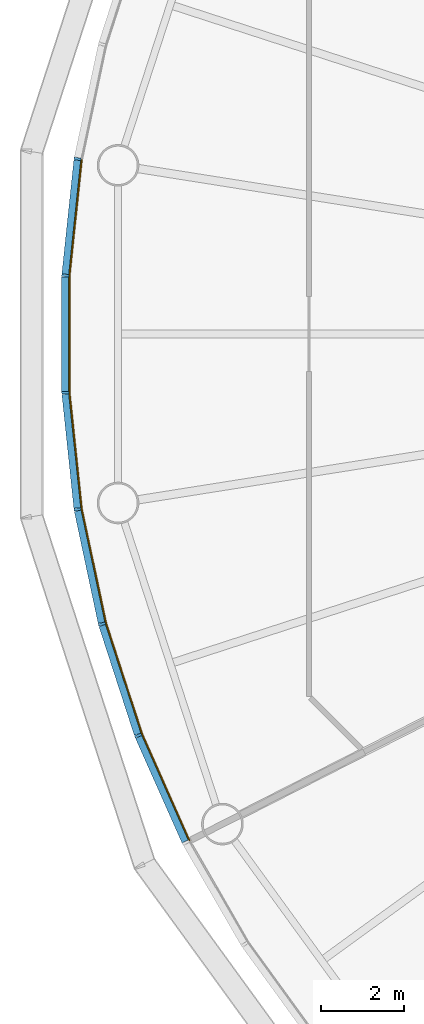
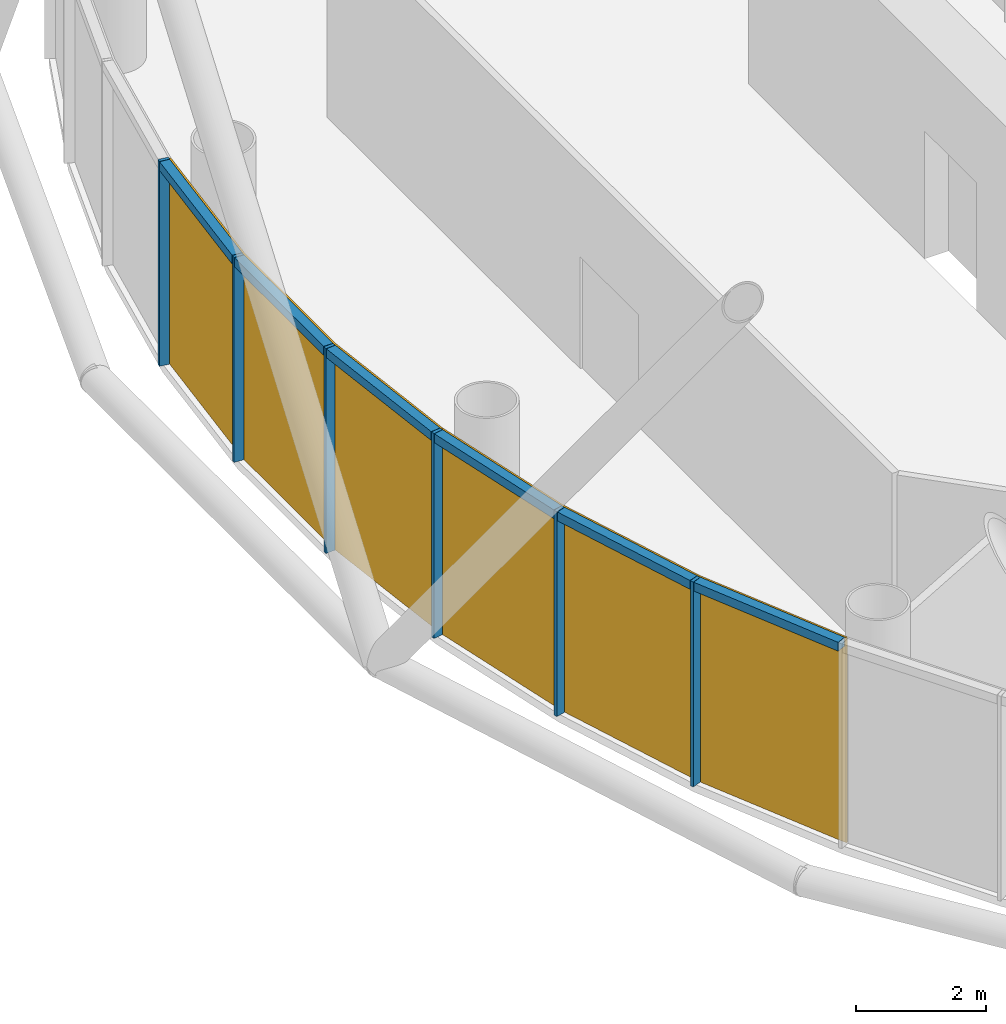
# One storey, part 8 of 13: 12 members, 2 curtain walls.
"""IFC4 building model written with IfcOpenShell, lengths in metres."""

from ifc_helpers import new_model, si_unit, direction, frame, origin, origin_2d, place, context, subcontext, project, spatial, polyline, rectangle, outline, extrude, material, layer, layer_set, material_profile, profile_set, type_object, element, aggregate, save


model = new_model("IFC4")

# Units and contexts
model_context = context("Model", 3, precision=1e-05, world=origin(), true_north=direction((0.0, 1.0)))
body_context = subcontext(model_context, "Body", "Model", "MODEL_VIEW")
ifc_project = project(units=[si_unit("LENGTHUNIT", "METRE"), si_unit("AREAUNIT", "SQUARE_METRE"), si_unit("VOLUMEUNIT", "CUBIC_METRE"), si_unit("PLANEANGLEUNIT", "RADIAN"), si_unit("MASSUNIT", "GRAM", prefix="KILO")], contexts=[model_context])

# Member
ifc_material_1 = material(Name="Anodised aluminium", Category="aluminium")
ifc_material_profile_1 = material_profile(ifc_material_1, rectangle(XDim=0.06005859375, YDim=0.169921875, at=origin_2d()), Name="Mullion 60 x 170 mm anodised aluminium")
ifc_profile_set_1 = profile_set([ifc_material_profile_1], Name="Anodised aluminium")
member_type_1 = type_object("IfcMemberType", Name="Mullion 60 x 170 mm anodised aluminium", PredefinedType="MULLION", material=ifc_profile_set_1)
site_placement = place(None, origin())
building_placement = place(site_placement, origin())
storey_placement = place(building_placement, frame((0.0, 0.0, 250.0)))
member_1_placement = place(storey_placement, frame((63.446044921875, 84.205810546875, 0.0), z_axis=(0.0, 0.0, 1.0), x_axis=(-0.15643446504, -0.987688340595, 0.0)))
member_1 = element("IfcMember", 1, at=member_1_placement, type_object=member_type_1, Name="MULLION L57-27", PredefinedType="MULLION", context=body_context, shape_type="SweptSolid", body=[
    extrude(rectangle(XDim=0.06005859375, YDim=0.169921875, at=origin_2d()), origin(), (0.0, 0.0, 1.0), 3.85009765625),
])

member_2_placement = place(storey_placement, frame((63.15185546875, 81.406982421875, 0.0), z_axis=(0.0, 0.0, 1.0), x_axis=(-0.052335956243, -0.998629534755, 0.0)))
member_2 = element("IfcMember", 2, at=member_2_placement, type_object=member_type_1, Name="MULLION L57-28", PredefinedType="MULLION", context=body_context, shape_type="SweptSolid", body=[
    extrude(rectangle(XDim=0.06005859375, YDim=0.169921875, at=origin_2d()), origin(), (0.0, 0.0, 1.0), 3.85009765625),
])

member_3_placement = place(storey_placement, frame((63.15185546875, 78.593017578125, 0.0), z_axis=(0.0, 0.0, 1.0), x_axis=(0.052335956243, -0.998629534755, 0.0)))
member_3 = element("IfcMember", 3, at=member_3_placement, type_object=member_type_1, Name="MULLION L57-29", PredefinedType="MULLION", context=body_context, shape_type="SweptSolid", body=[
    extrude(rectangle(XDim=0.06005859375, YDim=0.169921875, at=origin_2d()), origin(), (0.0, 0.0, 1.0), 3.85009765625),
])

member_4_placement = place(storey_placement, frame((63.446044921875, 75.794189453125, 0.0), z_axis=(0.0, 0.0, 1.0), x_axis=(0.15643446504, -0.987688340595, 0.0)))
member_4 = element("IfcMember", 4, at=member_4_placement, type_object=member_type_1, Name="MULLION L57-30", PredefinedType="MULLION", context=body_context, shape_type="SweptSolid", body=[
    extrude(rectangle(XDim=0.06005859375, YDim=0.169921875, at=origin_2d()), origin(), (0.0, 0.0, 1.0), 3.85009765625),
])

member_5_placement = place(storey_placement, frame((64.031005859375, 73.041748046875, 0.0), z_axis=(0.0, 0.0, 1.0), x_axis=(0.258819045103, -0.965925826289, 0.0)))
member_5 = element("IfcMember", 5, at=member_5_placement, type_object=member_type_1, Name="MULLION L57-31", PredefinedType="MULLION", context=body_context, shape_type="SweptSolid", body=[
    extrude(rectangle(XDim=0.06005859375, YDim=0.169921875, at=origin_2d()), origin(), (0.0, 0.0, 1.0), 3.85009765625),
])

member_6_placement = place(storey_placement, frame((64.900634765625, 70.365234375, 0.0), z_axis=(0.0, 0.0, 1.0), x_axis=(0.358367949545, -0.933580426497, 0.0)))
member_6 = element("IfcMember", 6, at=member_6_placement, type_object=member_type_1, Name="MULLION L57-32", PredefinedType="MULLION", context=body_context, shape_type="SweptSolid", body=[
    extrude(rectangle(XDim=0.06005859375, YDim=0.169921875, at=origin_2d()), origin(), (0.0, 0.0, 1.0), 3.85009765625),
])

ifc_material_2 = material(Name="Anodised aluminium", Category="aluminium")
ifc_material_profile_2 = material_profile(ifc_material_2, rectangle(XDim=0.169921875, YDim=0.1650390625, at=origin_2d()), Name="Transom 165 x 170 mm anodised aluminium")
ifc_profile_set_2 = profile_set([ifc_material_profile_2], Name="Anodised aluminium")
member_type_2 = type_object("IfcMemberType", Name="Transom 165 x 170 mm anodised aluminium", PredefinedType="USERDEFINED", material=ifc_profile_set_2)
member_7_placement = place(storey_placement, frame((63.4423828125, 84.17138671875, 3.767578125), z_axis=(-0.104592190102, -0.994515195344, 0.0), x_axis=(0.994515195344, -0.104592190102, 0.0)))
member_7 = element("IfcMember", 7, at=member_7_placement, type_object=member_type_2, Name="TRANSOM L57-27", ObjectType="TRANSOM", PredefinedType="USERDEFINED", context=body_context, shape_type="SweptSolid", body=[
    extrude(rectangle(XDim=0.169921875, YDim=0.1650390625, at=origin_2d()), origin(), (0.0, 0.0, 1.0), 2.7451171875),
])

member_8_placement = place(storey_placement, frame((63.151611328125, 81.37255859375, 3.767578125), z_axis=(0.0, -1.0, 0.0), x_axis=(1.0, 0.0, 0.0)))
member_8 = element("IfcMember", 8, at=member_8_placement, type_object=member_type_2, Name="TRANSOM L57-28", ObjectType="TRANSOM", PredefinedType="USERDEFINED", context=body_context, shape_type="SweptSolid", body=[
    extrude(rectangle(XDim=0.169921875, YDim=0.1650390625, at=origin_2d()), origin(), (0.0, 0.0, 1.0), 2.7451171875),
])

member_9_placement = place(storey_placement, frame((63.1552734375, 78.55859375, 3.767578125), z_axis=(0.104592190102, -0.994515195344, 0.0), x_axis=(0.994515195344, 0.104592190102, 0.0)))
member_9 = element("IfcMember", 9, at=member_9_placement, type_object=member_type_2, Name="TRANSOM L57-29", ObjectType="TRANSOM", PredefinedType="USERDEFINED", context=body_context, shape_type="SweptSolid", body=[
    extrude(rectangle(XDim=0.169921875, YDim=0.1650390625, at=origin_2d()), origin(), (0.0, 0.0, 1.0), 2.7451171875),
])

member_10_placement = place(storey_placement, frame((63.453125, 75.760498046875, 3.767578125), z_axis=(0.207937468562, -0.97814212115, 0.0), x_axis=(0.97814212115, 0.207937468562, 0.0)))
member_10 = element("IfcMember", 10, at=member_10_placement, type_object=member_type_2, Name="TRANSOM L57-30", ObjectType="TRANSOM", PredefinedType="USERDEFINED", context=body_context, shape_type="SweptSolid", body=[
    extrude(rectangle(XDim=0.169921875, YDim=0.1650390625, at=origin_2d()), origin(), (0.0, 0.0, 1.0), 2.7451171875),
])

member_11_placement = place(storey_placement, frame((64.04150390625, 73.0087890625, 3.767578125), z_axis=(0.309041831781, -0.951048445774, 0.0), x_axis=(0.951048445774, 0.309041831781, 0.0)))
member_11 = element("IfcMember", 11, at=member_11_placement, type_object=member_type_2, Name="TRANSOM L57-31", ObjectType="TRANSOM", PredefinedType="USERDEFINED", context=body_context, shape_type="SweptSolid", body=[
    extrude(rectangle(XDim=0.169921875, YDim=0.1650390625, at=origin_2d()), origin(), (0.0, 0.0, 1.0), 2.7451171875),
])

member_12_placement = place(storey_placement, frame((64.91455078125, 70.333740234375, 3.767578125), z_axis=(0.406781987391, -0.913525267704, 0.0), x_axis=(0.913525267704, 0.406781987391, 0.0)))
member_12 = element("IfcMember", 12, at=member_12_placement, type_object=member_type_2, Name="TRANSOM L57-32", ObjectType="TRANSOM", PredefinedType="USERDEFINED", context=body_context, shape_type="SweptSolid", body=[
    extrude(rectangle(XDim=0.169921875, YDim=0.1650390625, at=origin_2d()), origin(), (0.0, 0.0, 1.0), 2.7451171875),
])

# Site, building, storey
site = spatial("IfcSite", under=ifc_project, at=site_placement, CompositionType="ELEMENT")
building = spatial("IfcBuilding", under=site, at=building_placement, Name="Entoto Ring Tower", CompositionType="ELEMENT")
storey = spatial("IfcBuildingStorey", under=building, at=storey_placement, Name="L57", CompositionType="ELEMENT", Elevation=250.0)

# Curtain wall
ifc_material_3 = material(Name="Clear low-iron glass", Category="glass")
ifc_layer = layer(ifc_material_3, 0.031982421875)
ifc_layer_set = layer_set([ifc_layer], Name="Clear low-iron glass")
curtain_wall_type = type_object("IfcCurtainWallType", Name="Curtain wall system CW4 glazing 32 mm", PredefinedType="NOTDEFINED", material=ifc_layer_set)
curtain_wall_1_placement = place(storey_placement, origin())
curtain_wall_1 = element("IfcCurtainWall", 13, at=curtain_wall_1_placement, inside=storey, type_object=curtain_wall_type, Name="CW4 L57-10", PredefinedType="NOTDEFINED", context=body_context, shape_type="SweptSolid", body=[
    extrude(outline(polyline([(63.530029296875, 84.1923828125), (63.23681640625, 81.402587890625), (63.23681640625, 78.597412109375), (63.530029296875, 75.8076171875), (63.5615234375, 75.8125), (63.268798828125, 78.59912109375), (63.268798828125, 81.40087890625), (63.5615234375, 84.1875), (63.530029296875, 84.1923828125)])), origin(), (0.0, 0.0, 1.0), 3.85009765625),
])

aggregate(curtain_wall_1, [member_1, member_2, member_3, member_7, member_8, member_9])

curtain_wall_2_placement = place(storey_placement, origin())
curtain_wall_2 = element("IfcCurtainWall", 14, at=curtain_wall_2_placement, inside=storey, type_object=curtain_wall_type, Name="CW4 L57-11", PredefinedType="NOTDEFINED", context=body_context, shape_type="SweptSolid", body=[
    extrude(outline(polyline([(63.530029296875, 75.8076171875), (64.11328125, 73.063720703125), (64.97998046875, 70.395751953125), (66.12109375, 67.8330078125), (66.149658203125, 67.84765625), (65.010009765625, 70.4072265625), (64.14404296875, 73.072021484375), (63.5615234375, 75.8125), (63.530029296875, 75.8076171875)])), origin(), (0.0, 0.0, 1.0), 3.85009765625),
])

aggregate(curtain_wall_2, [member_4, member_5, member_6, member_10, member_11, member_12])

save(model, "model.ifc")
